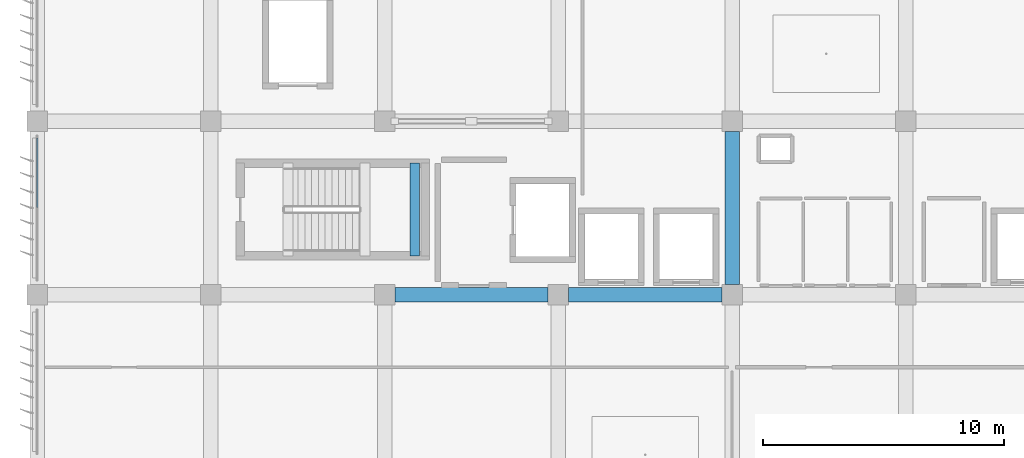
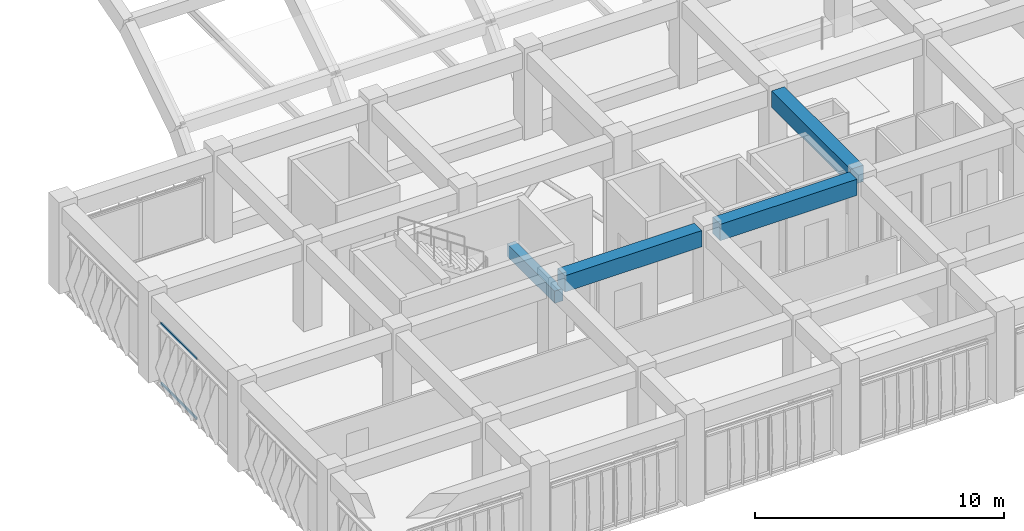
# One storey, part 8 of 48: 4 beams, 2 members, 1 element without a shape of its own.
"""IFC4 building model written with IfcOpenShell, lengths in metres."""

from ifc_helpers import new_model, si_unit, direction, frame, origin, origin_2d, place, context, subcontext, project, spatial, rectangle, hollow_rectangle, extrude, material, material_profile, profile_set, type_object, element, aggregate, save


model = new_model("IFC4")

# Units and contexts
model_context = context("Model", 3, precision=1e-05, world=origin(), true_north=direction((0.0, 1.0)))
body_context = subcontext(model_context, "Body", "Model", "MODEL_VIEW")
ifc_project = project(units=[si_unit("LENGTHUNIT", "METRE"), si_unit("AREAUNIT", "SQUARE_METRE"), si_unit("VOLUMEUNIT", "CUBIC_METRE"), si_unit("PLANEANGLEUNIT", "RADIAN"), si_unit("MASSUNIT", "GRAM", prefix="KILO")], contexts=[model_context])

# Site, building, storey
site_placement = place(None, origin())
site = spatial("IfcSite", under=ifc_project, at=site_placement, CompositionType="ELEMENT")
building_placement = place(site_placement, origin())
building = spatial("IfcBuilding", under=site, at=building_placement, Name="Kazehaya Institute of Natural Sciences", CompositionType="ELEMENT")
storey_placement = place(building_placement, frame((0.0, 0.0, 19.800048828125)))
storey = spatial("IfcBuildingStorey", under=building, at=storey_placement, Name="L04", CompositionType="ELEMENT", Elevation=19.800048828125)

# Beams
ifc_material_1 = material(Name="Concrete Fc36", Category="concrete")
ifc_material_profile_1 = material_profile(ifc_material_1, rectangle(XDim=0.39990234375, YDim=0.60009765625, at=origin_2d()), Name="RC-400x600")
ifc_profile_set_1 = profile_set([ifc_material_profile_1], Name="Concrete Fc36")
beam_type_1 = type_object("IfcBeamType", Name="BM-B-400x600", PredefinedType="BEAM", material=ifc_profile_set_1)
beam_1_placement = place(storey_placement, frame((70.25, 22.820068359375, 1.7900390625), z_axis=(0.0, 1.0, 0.0), x_axis=(-1.0, 0.0, 0.0)))
element("IfcBeam", 1, at=beam_1_placement, inside=storey, type_object=beam_type_1, Name="L04 ST-1 landing beam 2", PredefinedType="BEAM", context=body_context, shape_type="SweptSolid", body=[
    extrude(rectangle(XDim=0.39990234375, YDim=0.60009765625, at=origin_2d()), origin(), (0.0, 0.0, 1.0), 3.83984375),
])
ifc_material_profile_2 = material_profile(ifc_material_1, rectangle(XDim=0.60009765625, YDim=0.800048828125, at=origin_2d()), Name="RC-600x800")
ifc_profile_set_2 = profile_set([ifc_material_profile_2], Name="Concrete Fc36")
beam_type_2 = type_object("IfcBeamType", Name="BM-G-600x800", PredefinedType="BEAM", material=ifc_profile_set_2)
beam_2_placement = place(storey_placement, frame((69.425048828125, 21.199951171875, 3.829833984375), z_axis=(1.0, 0.0, 0.0), x_axis=(0.0, 1.0, 0.0)))
element("IfcBeam", 2, at=beam_2_placement, inside=storey, type_object=beam_type_2, Name="L04 primary X girder BMX-L04-690-212", PredefinedType="BEAM", context=body_context, shape_type="SweptSolid", body=[
    extrude(rectangle(XDim=0.60009765625, YDim=0.800048828125, at=origin_2d()), origin(), (0.0, 0.0, 1.0), 6.349853515625),
])
for number, where, z_axis, x_axis, name in (
    (3, (76.625, 21.199951171875, 3.829833984375), (1.0, 0.0, 0.0), (0.0, 1.0, 0.0), "L04 primary X girder BMX-L04-762-212"),
    (4, (83.39990234375, 21.625, 3.829833984375), (0.0, 1.0, 0.0), (-1.0, 0.0, 0.0), "L04 primary Y girder BMY-L04-834-212"),
):
    element("IfcBeam", number, at=place(storey_placement, frame(where, z_axis=z_axis, x_axis=x_axis)), inside=storey, type_object=beam_type_2, Name=name, PredefinedType="BEAM", context=body_context, shape_type="SweptSolid", body=[
        extrude(rectangle(XDim=0.60009765625, YDim=0.800048828125, at=origin_2d()), origin(), (0.0, 0.0, 1.0), 6.35009765625),
    ])

# Curtain wall, members
ifc_material_2 = material(Name="Aluminium alloy A6063S-T5", Category="aluminium")
curtain_wall_type = type_object("IfcCurtainWallType", Name="CW-SYS-10", PredefinedType="NOTDEFINED", material=ifc_material_2)
curtain_wall_placement = place(storey_placement, origin())
curtain_wall = element("IfcCurtainWall", 5, at=curtain_wall_placement, inside=storey, type_object=curtain_wall_type, Name="L04 unitised curtain wall CW-L04-090", PredefinedType="NOTDEFINED")
ifc_material_profile_3 = material_profile(ifc_material_2, hollow_rectangle(XDim=0.06005859375, YDim=0.1201171875, WallThickness=0.00341796875, at=origin_2d()), Name="ALU-60x120x3.5")
ifc_profile_set_3 = profile_set([ifc_material_profile_3], Name="Aluminium alloy A6063S-T5")
member_type = type_object("IfcMemberType", Name="CWT-120", PredefinedType="USERDEFINED", material=ifc_profile_set_3)
member_1_placement = place(storey_placement, frame((54.60009765625, 24.830078125, 0.030029296875), z_axis=(0.0, 1.0, 0.0), x_axis=(-1.0, 0.0, 0.0)))
member_1 = element("IfcMember", 6, at=member_1_placement, type_object=member_type, Name="CW10 transom 2.1", ObjectType="TRANSOM", PredefinedType="USERDEFINED", context=body_context, shape_type="SweptSolid", body=[
    extrude(hollow_rectangle(XDim=0.06005859375, YDim=0.1201171875, WallThickness=0.00341796875, at=origin_2d()), origin(), (0.0, 0.0, 1.0), 2.869873046875),
])
member_2_placement = place(storey_placement, frame((54.60009765625, 24.830078125, 2.969970703125), z_axis=(0.0, 1.0, 0.0), x_axis=(-1.0, 0.0, 0.0)))
member_2 = element("IfcMember", 7, at=member_2_placement, type_object=member_type, Name="CW10 transom 2.2", ObjectType="TRANSOM", PredefinedType="USERDEFINED", context=body_context, shape_type="SweptSolid", body=[
    extrude(hollow_rectangle(XDim=0.06005859375, YDim=0.1201171875, WallThickness=0.00341796875, at=origin_2d()), origin(), (0.0, 0.0, 1.0), 2.869873046875),
])
aggregate(curtain_wall, [member_1, member_2])

save(model, "model.ifc")
